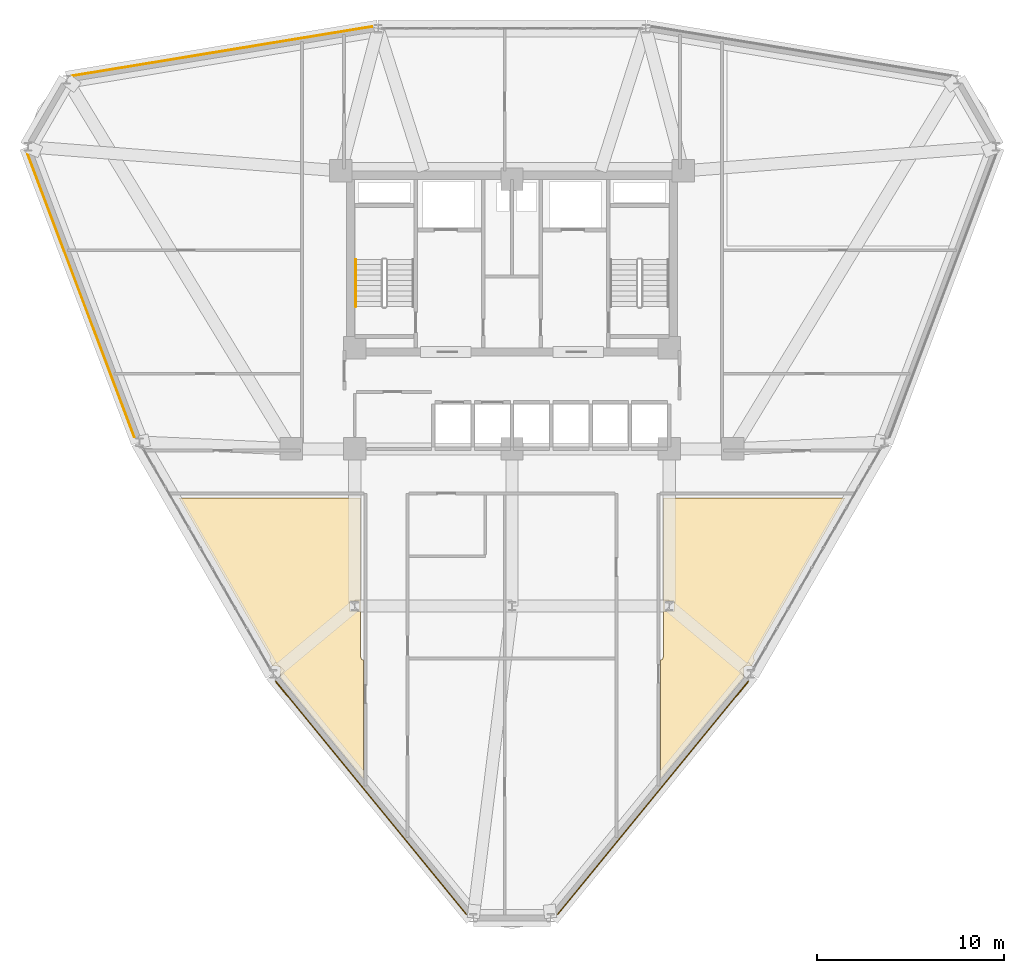
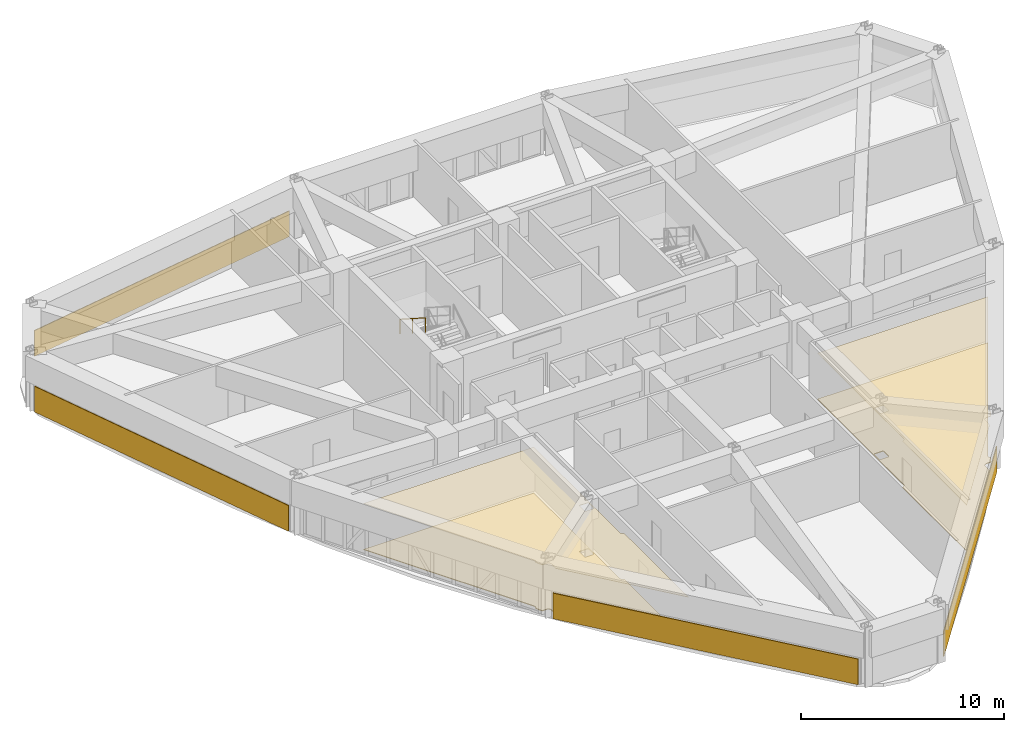
# One storey, part 15 of 16: 8 coverings, 1 railing.
"""IFC4 building model written with IfcOpenShell, lengths in metres."""

from ifc_helpers import new_model, si_unit, derived_unit, direction, frame, origin, origin_2d, place, context, subcontext, project, spatial, polyline, circle, outline, extrude, material, layer, layer_set, type_object, element, save


model = new_model("IFC4")

# Units and contexts
model_context = context("Model", 3, precision=1e-05, world=origin(), true_north=direction((0.0, 1.0)))
body_context = subcontext(model_context, "Body", "Model", "MODEL_VIEW")
ifc_project = project(units=[si_unit("LENGTHUNIT", "METRE"), si_unit("AREAUNIT", "SQUARE_METRE"), si_unit("VOLUMEUNIT", "CUBIC_METRE"), si_unit("PLANEANGLEUNIT", "RADIAN"), si_unit("MASSUNIT", "GRAM", prefix="KILO"), derived_unit("THERMALTRANSMITTANCEUNIT", [(si_unit("POWERUNIT", "WATT"), 1), (si_unit("LENGTHUNIT", "METRE"), -2), (si_unit("THERMODYNAMICTEMPERATUREUNIT", "KELVIN"), -1)])], contexts=[model_context])

# Site, building, storey
site_placement = place(None, origin())
site = spatial("IfcSite", under=ifc_project, at=site_placement, CompositionType="ELEMENT")
building_placement = place(site_placement, origin())
building = spatial("IfcBuilding", under=site, at=building_placement, Name="Korsvarv Bourse and Concert Hall", CompositionType="ELEMENT")
storey_placement = place(building_placement, frame((0.0, 0.0, 106.199951171875)))
storey = spatial("IfcBuildingStorey", under=building, at=storey_placement, Name="L26", CompositionType="ELEMENT", Elevation=106.199951171875)

# Coverings
ifc_material_1 = material(Name="Perforated mineral-wool and birch acoustic baffle ceiling", Category="wood")
ifc_layer_1 = layer(ifc_material_1, 0.02490234375)
ifc_layer_set_1 = layer_set([ifc_layer_1], Name="Perforated mineral-wool and birch acoustic baffle ceiling")
covering_type_1 = type_object("IfcCoveringType", Name="COV-CEIL-1", PredefinedType="CEILING", material=ifc_layer_set_1)
covering_1_placement = place(storey_placement, frame((0.0, 0.0, 2.780029296875)))
element("IfcCovering", 1, at=covering_1_placement, inside=storey, type_object=covering_type_1, Name="L26 acoustic baffle ceiling 2", PredefinedType="CEILING", context=body_context, shape_type="SweptSolid", body=[
    extrude(outline(polyline([(23.033935546875, 21.129638671875), (23.056884765625, 21.155517578125), (23.07470703125, 21.185302734375), (23.08642578125, 21.218017578125), (23.091796875, 21.252197265625), (23.09033203125, 21.286865234375), (23.082275390625, 21.320556640625), (23.068115234375, 21.35205078125), (18.22119140625, 29.77001953125), (27.919921875, 29.77001953125), (27.919921875, 21.2900390625), (27.923583984375, 21.25390625), (27.9345703125, 21.218994140625), (27.952392578125, 21.187255859375), (27.97607421875, 21.15966796875), (28.0048828125, 21.13720703125), (28.03759765625, 21.12109375), (28.07275390625, 21.112060546875), (28.080078125, 14.77001953125), (23.6396484375, 20.189697265625), (23.647705078125, 20.606689453125), (23.64501953125, 20.6416015625), (23.635498046875, 20.675537109375), (23.61962890625, 20.706787109375), (23.59814453125, 20.734375), (23.571533203125, 20.75732421875), (23.541015625, 20.774658203125), (23.5078125, 20.78564453125), (23.472900390625, 20.7900390625), (23.21728515625, 20.79736328125), (23.033935546875, 21.129638671875)]), holes=[polyline([(27.37353515625, 23.715087890625), (27.81201171875, 23.712890625), (27.835693359375, 23.718994140625), (27.853515625, 23.735107421875), (27.86181640625, 23.758056640625), (27.862060546875, 24.237060546875), (27.856201171875, 24.260498046875), (27.83984375, 24.278564453125), (27.81689453125, 24.286865234375), (27.387939453125, 24.287109375), (27.364501953125, 24.281005859375), (27.346435546875, 24.264892578125), (27.338134765625, 24.241943359375), (27.337890625, 23.762939453125), (27.343994140625, 23.739501953125), (27.37353515625, 23.715087890625)])]), origin(), (0.0, 0.0, 1.0), 0.02490234375),
])
covering_2_placement = place(storey_placement, frame((0.0, 0.0, 2.780029296875)))
element("IfcCovering", 2, at=covering_2_placement, inside=storey, type_object=covering_type_1, Name="L26 acoustic baffle ceiling 3", PredefinedType="CEILING", context=body_context, shape_type="SweptSolid", body=[
    extrude(outline(polyline([(43.92724609375, 21.112060546875), (43.96240234375, 21.12109375), (43.9951171875, 21.13720703125), (44.02392578125, 21.15966796875), (44.047607421875, 21.187255859375), (44.0654296875, 21.218994140625), (44.076416015625, 21.25390625), (44.080078125, 21.2900390625), (44.080078125, 29.77001953125), (53.7783203125, 29.77001953125), (48.9228515625, 21.360107421875), (48.90869140625, 21.328857421875), (48.900634765625, 21.295654296875), (48.89892578125, 21.26171875), (48.90380859375, 21.227783203125), (48.914794921875, 21.195556640625), (48.931884765625, 21.166015625), (48.9541015625, 21.139892578125), (48.971923828125, 21.125), (48.784423828125, 20.80029296875), (48.542236328125, 20.80029296875), (48.507568359375, 20.796875), (48.47412109375, 20.786865234375), (48.443359375, 20.770751953125), (48.416259765625, 20.748779296875), (48.393798828125, 20.72216796875), (48.376953125, 20.69189453125), (48.366455078125, 20.65869140625), (48.3623046875, 20.6240234375), (48.352783203125, 20.180419921875), (43.919921875, 14.77001953125), (43.92724609375, 21.112060546875)]), holes=[polyline([(44.173583984375, 23.715087890625), (44.612060546875, 23.712890625), (44.635498046875, 23.718994140625), (44.653564453125, 23.735107421875), (44.661865234375, 23.758056640625), (44.662109375, 24.237060546875), (44.656005859375, 24.260498046875), (44.639892578125, 24.278564453125), (44.616943359375, 24.286865234375), (44.18798828125, 24.287109375), (44.164306640625, 24.281005859375), (44.146484375, 24.264892578125), (44.13818359375, 24.241943359375), (44.137939453125, 23.762939453125), (44.143798828125, 23.739501953125), (44.173583984375, 23.715087890625)])]), origin(), (0.0, 0.0, 1.0), 0.02490234375),
])
ifc_material_2 = material(Name="Warm iron-oxide extruded terracotta rainscreen tile", Category="ceramic")
ifc_layer_2 = layer(ifc_material_2, 0.044921875)
ifc_layer_set_2 = layer_set([ifc_layer_2], Name="Warm iron-oxide extruded terracotta rainscreen tile")
covering_type_2 = type_object("IfcCoveringType", Name="COV-CLD-TC", PredefinedType="CLADDING", material=ifc_layer_set_2)
covering_3_placement = place(storey_placement, origin())
element("IfcCovering", 3, at=covering_3_placement, inside=storey, type_object=covering_type_2, Name="L26 fluted terracotta cladding panel EW-L26-B04", PredefinedType="CLADDING", context=body_context, shape_type="SweptSolid", body=[
    extrude(outline(polyline([(28.535888671875, 54.9365234375), (12.48828125, 52.30078125), (12.48095703125, 52.34521484375), (28.528564453125, 54.98095703125), (28.535888671875, 54.9365234375)])), origin(), (0.0, 0.0, 1.0), 1.550048828125),
])
covering_4_placement = place(storey_placement, origin())
element("IfcCovering", 4, at=covering_4_placement, inside=storey, type_object=covering_type_2, Name="L26 fluted terracotta cladding panel EW-L26-B06", PredefinedType="CLADDING", context=body_context, shape_type="SweptSolid", body=[
    extrude(outline(polyline([(10.138427734375, 48.181884765625), (15.857177734375, 33.025390625), (15.81494140625, 33.009521484375), (10.09619140625, 48.166015625), (10.138427734375, 48.181884765625)])), origin(), (0.0, 0.0, 1.0), 1.550048828125),
])
covering_5_placement = place(storey_placement, origin())
element("IfcCovering", 5, at=covering_5_placement, inside=storey, type_object=covering_type_2, Name="L26 fluted terracotta cladding panel EW-L26-B08", PredefinedType="CLADDING", context=body_context, shape_type="SweptSolid", body=[
    extrude(outline(polyline([(23.385498046875, 20.002685546875), (33.5859375, 7.552490234375), (33.55126953125, 7.524169921875), (23.350830078125, 19.97412109375), (23.385498046875, 20.002685546875)])), origin(), (0.0, 0.0, 1.0), 1.550048828125),
])
covering_6_placement = place(storey_placement, origin())
element("IfcCovering", 6, at=covering_6_placement, inside=storey, type_object=covering_type_2, Name="L26 fluted terracotta cladding panel EW-L26-B10", PredefinedType="CLADDING", context=body_context, shape_type="SweptSolid", body=[
    extrude(outline(polyline([(38.4140625, 7.552490234375), (48.614501953125, 20.002685546875), (48.649169921875, 19.97412109375), (38.44873046875, 7.524169921875), (38.4140625, 7.552490234375)])), origin(), (0.0, 0.0, 1.0), 1.550048828125),
])
ifc_material_3 = material(Name="Calcium-sulphate raised access trading floor with Nordic oak top", Category="wood")
ifc_layer_3 = layer(ifc_material_3, 0.0400390625)
ifc_layer_set_3 = layer_set([ifc_layer_3], Name="Calcium-sulphate raised access trading floor with Nordic oak top")
covering_type_3 = type_object("IfcCoveringType", Name="COV-FLOR-1", PredefinedType="FLOORING", material=ifc_layer_set_3)
covering_7_placement = place(storey_placement, origin())
element("IfcCovering", 7, at=covering_7_placement, inside=storey, type_object=covering_type_3, Name="L26 raised access oak floor finish 2", PredefinedType="FLOORING", context=body_context, shape_type="SweptSolid", body=[
    extrude(outline(polyline([(23.033935546875, 21.129638671875), (23.056884765625, 21.155517578125), (23.07470703125, 21.185302734375), (23.08642578125, 21.218017578125), (23.091796875, 21.252197265625), (23.09033203125, 21.286865234375), (23.082275390625, 21.320556640625), (23.068115234375, 21.35205078125), (18.22119140625, 29.77001953125), (27.919921875, 29.77001953125), (27.919921875, 21.2900390625), (27.923583984375, 21.25390625), (27.9345703125, 21.218994140625), (27.952392578125, 21.187255859375), (27.97607421875, 21.15966796875), (28.0048828125, 21.13720703125), (28.03759765625, 21.12109375), (28.07275390625, 21.112060546875), (28.080078125, 14.77001953125), (23.6396484375, 20.189697265625), (23.647705078125, 20.606689453125), (23.64501953125, 20.6416015625), (23.635498046875, 20.675537109375), (23.61962890625, 20.706787109375), (23.59814453125, 20.734375), (23.571533203125, 20.75732421875), (23.541015625, 20.774658203125), (23.5078125, 20.78564453125), (23.472900390625, 20.7900390625), (23.21728515625, 20.79736328125), (23.033935546875, 21.129638671875)]), holes=[polyline([(27.37353515625, 23.715087890625), (27.81201171875, 23.712890625), (27.835693359375, 23.718994140625), (27.853515625, 23.735107421875), (27.86181640625, 23.758056640625), (27.862060546875, 24.237060546875), (27.856201171875, 24.260498046875), (27.83984375, 24.278564453125), (27.81689453125, 24.286865234375), (27.387939453125, 24.287109375), (27.364501953125, 24.281005859375), (27.346435546875, 24.264892578125), (27.338134765625, 24.241943359375), (27.337890625, 23.762939453125), (27.343994140625, 23.739501953125), (27.37353515625, 23.715087890625)])]), origin(), (0.0, 0.0, 1.0), 0.0400390625),
])
covering_8_placement = place(storey_placement, origin())
element("IfcCovering", 8, at=covering_8_placement, inside=storey, type_object=covering_type_3, Name="L26 raised access oak floor finish 3", PredefinedType="FLOORING", context=body_context, shape_type="SweptSolid", body=[
    extrude(outline(polyline([(43.92724609375, 21.112060546875), (43.96240234375, 21.12109375), (43.9951171875, 21.13720703125), (44.02392578125, 21.15966796875), (44.047607421875, 21.187255859375), (44.0654296875, 21.218994140625), (44.076416015625, 21.25390625), (44.080078125, 21.2900390625), (44.080078125, 29.77001953125), (53.7783203125, 29.77001953125), (48.9228515625, 21.360107421875), (48.90869140625, 21.328857421875), (48.900634765625, 21.295654296875), (48.89892578125, 21.26171875), (48.90380859375, 21.227783203125), (48.914794921875, 21.195556640625), (48.931884765625, 21.166015625), (48.9541015625, 21.139892578125), (48.971923828125, 21.125), (48.784423828125, 20.80029296875), (48.542236328125, 20.80029296875), (48.507568359375, 20.796875), (48.47412109375, 20.786865234375), (48.443359375, 20.770751953125), (48.416259765625, 20.748779296875), (48.393798828125, 20.72216796875), (48.376953125, 20.69189453125), (48.366455078125, 20.65869140625), (48.3623046875, 20.6240234375), (48.352783203125, 20.180419921875), (43.919921875, 14.77001953125), (43.92724609375, 21.112060546875)]), holes=[polyline([(44.173583984375, 23.715087890625), (44.612060546875, 23.712890625), (44.635498046875, 23.718994140625), (44.653564453125, 23.735107421875), (44.661865234375, 23.758056640625), (44.662109375, 24.237060546875), (44.656005859375, 24.260498046875), (44.639892578125, 24.278564453125), (44.616943359375, 24.286865234375), (44.18798828125, 24.287109375), (44.164306640625, 24.281005859375), (44.146484375, 24.264892578125), (44.13818359375, 24.241943359375), (44.137939453125, 23.762939453125), (44.143798828125, 23.739501953125), (44.173583984375, 23.715087890625)])]), origin(), (0.0, 0.0, 1.0), 0.0400390625),
])

# Railing
ifc_material_4 = material(Name="Brushed stainless Steel S355 tubular handrail", Category="steel")
railing_type = type_object("IfcRailingType", Name="RL-ST-HND", PredefinedType="HANDRAIL", material=ifc_material_4)
railing_placement = place(storey_placement, frame((27.64990234375, 42.52001953125, 1.97998046875)))
element("IfcRailing", 9, at=railing_placement, inside=storey, type_object=railing_type, Name="L26 ST-T1 stair handrail 2", PredefinedType="HANDRAIL", context=body_context, shape_type="SweptSolid", body=[
    extrude(circle(Radius=0.02392578125, at=origin_2d()), frame((0.0, 0.0, 0.8759765625), z_axis=(0.0, -0.841162588446, 0.540782303519), x_axis=(1.0, 0.0, 0.0)), (0.0, 0.0, 1.0), 2.995849609375),
    extrude(circle(Radius=0.02099609375, at=origin_2d()), origin(), (0.0, 0.0, 1.0), 0.851806640625),
    extrude(circle(Radius=0.02099609375, at=origin_2d()), frame((0.0, -1.260009765625, 0.81005859375)), (0.0, 0.0, 1.0), 0.851806640625),
    extrude(circle(Radius=0.02099609375, at=origin_2d()), frame((0.0, -2.52001953125, 1.6201171875)), (0.0, 0.0, 1.0), 0.851806640625),
])

save(model, "model.ifc")
